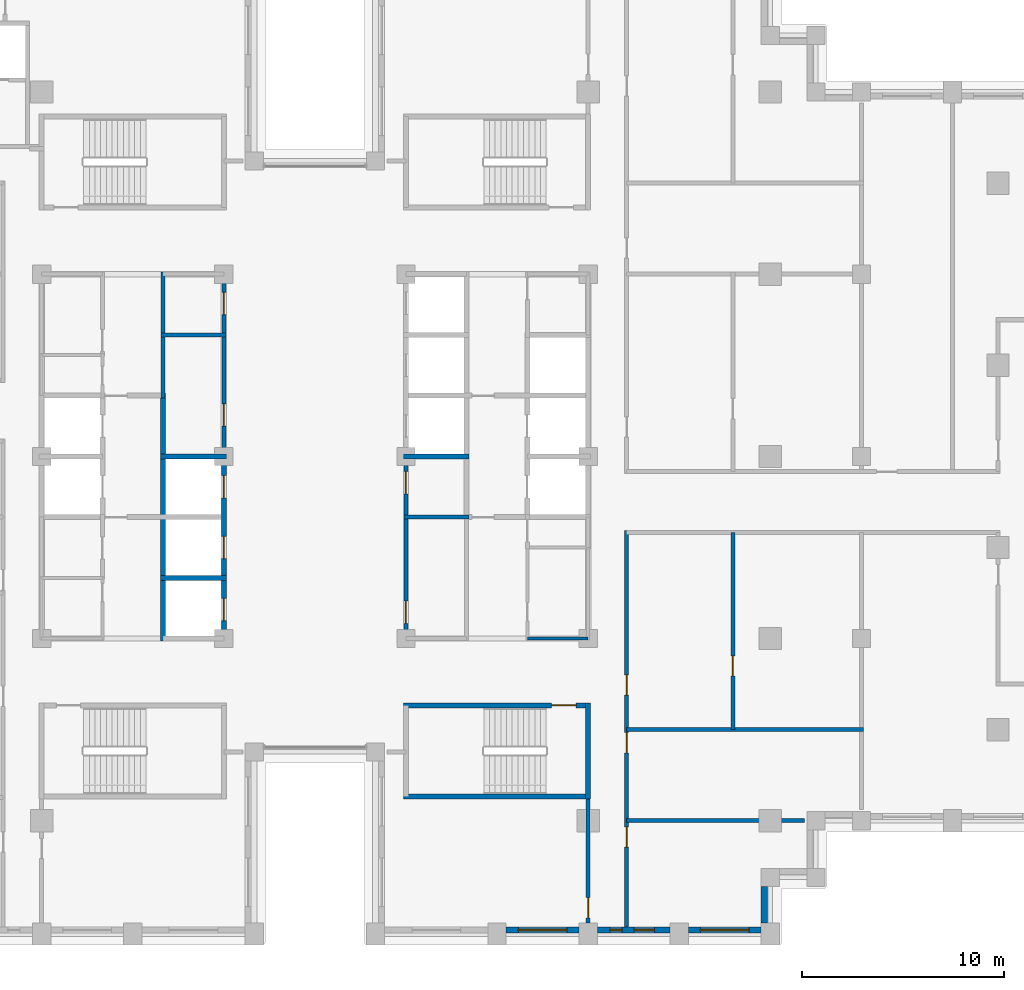
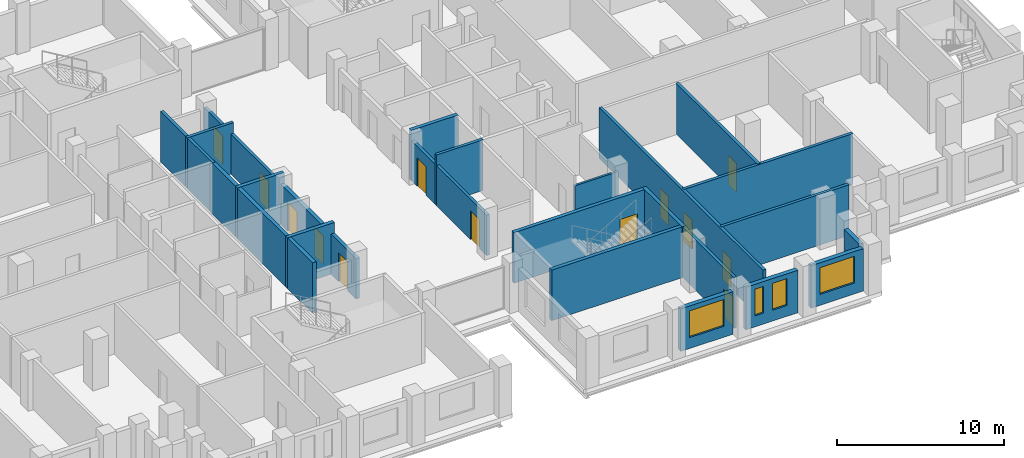
# One storey, part 8 of 15: 23 walls, 13 doors, 4 windows, 17 openings.
"""IFC4 building model written with IfcOpenShell, lengths in metres."""

from ifc_helpers import new_model, si_unit, direction, frame, frame_2d, origin, place, context, subcontext, project, spatial, rectangle, extrude, material, layer, layer_set, type_object, element, fill, save


model = new_model("IFC4")

# Units and contexts
model_context = context("Model", 3, precision=1e-05, world=origin(), true_north=direction((0.0, 1.0)))
body_context = subcontext(model_context, "Body", "Model", "MODEL_VIEW")
ifc_project = project(units=[si_unit("LENGTHUNIT", "METRE"), si_unit("AREAUNIT", "SQUARE_METRE"), si_unit("VOLUMEUNIT", "CUBIC_METRE"), si_unit("PLANEANGLEUNIT", "RADIAN"), si_unit("MASSUNIT", "GRAM", prefix="KILO")], contexts=[model_context])

# Site, building, storey
site_placement = place(None, origin())
site = spatial("IfcSite", under=ifc_project, at=site_placement, CompositionType="ELEMENT")
building_placement = place(site_placement, origin())
building = spatial("IfcBuilding", under=site, at=building_placement, Name="Corbelhall Arena Tower", CompositionType="ELEMENT")
storey_placement = place(building_placement, frame((0.0, 0.0, 134.0)))
storey = spatial("IfcBuildingStorey", under=building, at=storey_placement, Name="L25", CompositionType="ELEMENT", Elevation=134.0)

# Wall, opening, window
ifc_material_1 = material(Name="Precast concrete C40/50 with granite facing", Category="masonry")
ifc_layer_1 = layer(ifc_material_1, 0.300048828125)
ifc_layer_set_1 = layer_set([ifc_layer_1], Name="EV-IW1 Infill panel 300")
wall_type_1 = type_object("IfcWallType", Name="EV-IW1 Infill panel 300", PredefinedType="SOLIDWALL", material=ifc_layer_set_1)
wall_1_placement = place(storey_placement, frame((9.449951171875, -23.39990234375, 0.0), z_axis=(0.0, 0.0, 1.0), x_axis=(1.0, 0.0, 0.0)))
wall_1 = element("IfcWall", 1, at=wall_1_placement, inside=storey, type_object=wall_type_1, Name="Infill panel IW1", PredefinedType="SOLIDWALL", context=body_context, shape_type="SweptSolid", body=[
    extrude(rectangle(XDim=3.60009765625, YDim=0.300048828125, at=frame_2d((1.800048828125, 0.0))), origin(), (0.0, 0.0, 1.0), 3.10009765625),
])
opening_1_placement = place(wall_1_placement, frame((0.60009765625, 0.0, 0.800048828125)))
opening_1 = element("IfcOpeningElement", 2, at=opening_1_placement, cuts=wall_1, Name="Opening WN1", PredefinedType="OPENING", context=body_context, shape_type="SweptSolid", body=[
    extrude(rectangle(XDim=2.39990234375, YDim=1.949951171875, at=frame_2d((1.199951171875, 0.97509765625))), frame((0.0, 0.14990234375, 0.0), z_axis=(0.0, -1.0, 0.0), x_axis=(1.0, 0.0, 0.0)), (0.0, 0.0, 1.0), 0.300048828125),
])
ifc_material_2 = material(Name="Aluminium black anodised", Category="aluminium")
window_type_1 = type_object("IfcWindowType", Name="EV-WN1 Office window", PartitioningType="SINGLE_PANEL", PredefinedType="WINDOW", material=ifc_material_2)
window_1_placement = place(opening_1_placement, origin())
window_1 = element("IfcWindow", 3, at=window_1_placement, inside=storey, type_object=window_type_1, Name="Window WN1", OverallHeight=1.949951171875, OverallWidth=2.39990234375, PartitioningType="SINGLE_PANEL", PredefinedType="WINDOW", context=body_context, shape_type="SweptSolid", body=[
    extrude(rectangle(XDim=2.39990234375, YDim=1.949951171875, at=frame_2d((1.199951171875, 0.97509765625))), frame((0.0, 0.030029296875, 0.0), z_axis=(0.0, -1.0, 0.0), x_axis=(1.0, 0.0, 0.0)), (0.0, 0.0, 1.0), 0.06005859375),
])
fill(opening_1, window_1)

# Wall, openings, windows
wall_2_placement = place(storey_placement, frame((13.949951171875, -23.39990234375, 0.0), z_axis=(0.0, 0.0, 1.0), x_axis=(1.0, 0.0, 0.0)))
wall_2 = element("IfcWall", 4, at=wall_2_placement, inside=storey, type_object=wall_type_1, Name="Infill panel IW1", PredefinedType="SOLIDWALL", context=body_context, shape_type="SweptSolid", body=[
    extrude(rectangle(XDim=3.60009765625, YDim=0.300048828125, at=frame_2d((1.800048828125, 0.0))), origin(), (0.0, 0.0, 1.0), 3.10009765625),
])
opening_2_placement = place(wall_2_placement, frame((0.625, 0.0, 0.800048828125)))
opening_2 = element("IfcOpeningElement", 5, at=opening_2_placement, cuts=wall_2, Name="Opening WN5", PredefinedType="OPENING", context=body_context, shape_type="SweptSolid", body=[
    extrude(rectangle(XDim=0.60009765625, YDim=1.949951171875, at=frame_2d((0.300048828125, 0.97509765625))), frame((0.0, 0.14990234375, 0.0), z_axis=(0.0, -1.0, 0.0), x_axis=(1.0, 0.0, 0.0)), (0.0, 0.0, 1.0), 0.300048828125),
])
opening_3_placement = place(wall_2_placement, frame((1.824951171875, 0.0, 0.800048828125)))
opening_3 = element("IfcOpeningElement", 6, at=opening_3_placement, cuts=wall_2, Name="Opening WN6", PredefinedType="OPENING", context=body_context, shape_type="SweptSolid", body=[
    extrude(rectangle(XDim=1.0, YDim=1.949951171875, at=frame_2d((0.5, 0.97509765625))), frame((0.0, 0.14990234375, 0.0), z_axis=(0.0, -1.0, 0.0), x_axis=(1.0, 0.0, 0.0)), (0.0, 0.0, 1.0), 0.300048828125),
])
window_type_2 = type_object("IfcWindowType", Name="EV-WN5 Office window 600", PartitioningType="SINGLE_PANEL", PredefinedType="WINDOW", material=ifc_material_2)
window_2_placement = place(opening_2_placement, origin())
window_2 = element("IfcWindow", 7, at=window_2_placement, inside=storey, type_object=window_type_2, Name="Window WN5", OverallHeight=1.949951171875, OverallWidth=0.60009765625, PartitioningType="SINGLE_PANEL", PredefinedType="WINDOW", context=body_context, shape_type="SweptSolid", body=[
    extrude(rectangle(XDim=0.60009765625, YDim=1.949951171875, at=frame_2d((0.300048828125, 0.97509765625))), frame((0.0, 0.030029296875, 0.0), z_axis=(0.0, -1.0, 0.0), x_axis=(1.0, 0.0, 0.0)), (0.0, 0.0, 1.0), 0.06005859375),
])
fill(opening_2, window_2)
window_type_3 = type_object("IfcWindowType", Name="EV-WN6 Office window 1000", PartitioningType="SINGLE_PANEL", PredefinedType="WINDOW", material=ifc_material_2)
window_3_placement = place(opening_3_placement, origin())
window_3 = element("IfcWindow", 8, at=window_3_placement, inside=storey, type_object=window_type_3, Name="Window WN6", OverallHeight=1.949951171875, OverallWidth=1.0, PartitioningType="SINGLE_PANEL", PredefinedType="WINDOW", context=body_context, shape_type="SweptSolid", body=[
    extrude(rectangle(XDim=1.0, YDim=1.949951171875, at=frame_2d((0.5, 0.97509765625))), frame((0.0, 0.030029296875, 0.0), z_axis=(0.0, -1.0, 0.0), x_axis=(1.0, 0.0, 0.0)), (0.0, 0.0, 1.0), 0.06005859375),
])
fill(opening_3, window_3)

# Wall, opening, window
wall_3_placement = place(storey_placement, frame((18.449951171875, -23.39990234375, 0.0), z_axis=(0.0, 0.0, 1.0), x_axis=(1.0, 0.0, 0.0)))
wall_3 = element("IfcWall", 9, at=wall_3_placement, inside=storey, type_object=wall_type_1, Name="Infill panel IW1", PredefinedType="SOLIDWALL", context=body_context, shape_type="SweptSolid", body=[
    extrude(rectangle(XDim=3.60009765625, YDim=0.300048828125, at=frame_2d((1.800048828125, 0.0))), origin(), (0.0, 0.0, 1.0), 3.10009765625),
])
opening_4_placement = place(wall_3_placement, frame((0.60009765625, 0.0, 0.800048828125)))
opening_4 = element("IfcOpeningElement", 10, at=opening_4_placement, cuts=wall_3, Name="Opening WN1", PredefinedType="OPENING", context=body_context, shape_type="SweptSolid", body=[
    extrude(rectangle(XDim=2.39990234375, YDim=1.949951171875, at=frame_2d((1.199951171875, 0.97509765625))), frame((0.0, 0.14990234375, 0.0), z_axis=(0.0, -1.0, 0.0), x_axis=(1.0, 0.0, 0.0)), (0.0, 0.0, 1.0), 0.300048828125),
])
window_4_placement = place(opening_4_placement, origin())
window_4 = element("IfcWindow", 11, at=window_4_placement, inside=storey, type_object=window_type_1, Name="Window WN1", OverallHeight=1.949951171875, OverallWidth=2.39990234375, PartitioningType="SINGLE_PANEL", PredefinedType="WINDOW", context=body_context, shape_type="SweptSolid", body=[
    extrude(rectangle(XDim=2.39990234375, YDim=1.949951171875, at=frame_2d((1.199951171875, 0.97509765625))), frame((0.0, 0.030029296875, 0.0), z_axis=(0.0, -1.0, 0.0), x_axis=(1.0, 0.0, 0.0)), (0.0, 0.0, 1.0), 0.06005859375),
])
fill(opening_4, window_4)

# Wall
wall_4_placement = place(storey_placement, frame((22.199951171875, -23.050048828125, 0.0), z_axis=(0.0, 0.0, 1.0), x_axis=(0.0, 1.0, 0.0)))
element("IfcWall", 12, at=wall_4_placement, inside=storey, type_object=wall_type_1, Name="Infill panel IW1", PredefinedType="SOLIDWALL", context=body_context, shape_type="SweptSolid", body=[
    extrude(rectangle(XDim=1.800048828125, YDim=0.300048828125, at=frame_2d((0.89990234375, 0.0))), origin(), (0.0, 0.0, 1.0), 3.10009765625),
])

# Wall, opening, door
ifc_material_3 = material(Name="Gypsum board on steel stud, acoustic", Category="steel")
ifc_layer_2 = layer(ifc_material_3, 0.199951171875)
ifc_layer_set_2 = layer_set([ifc_layer_2], Name="IN-W-DM200")
wall_type_2 = type_object("IfcWallType", Name="IN-W-DM200", PredefinedType="PARTITIONING", material=ifc_layer_set_2)
wall_5_placement = place(storey_placement, frame((13.5, -23.050048828125, 0.0), z_axis=(0.0, 0.0, 1.0), x_axis=(0.0, 1.0, 0.0)))
wall_5 = element("IfcWall", 13, at=wall_5_placement, inside=storey, type_object=wall_type_2, Name="Partition 027", PredefinedType="PARTITIONING", context=body_context, shape_type="SweptSolid", body=[
    extrude(rectangle(XDim=6.375, YDim=0.199951171875, at=frame_2d((3.1875, 0.0))), origin(), (0.0, 0.0, 1.0), 3.699951171875),
])
opening_5_placement = place(wall_5_placement, frame((0.25, 0.0, 0.0)))
opening_5 = element("IfcOpeningElement", 14, at=opening_5_placement, cuts=wall_5, Name="Opening 06026", PredefinedType="OPENING", context=body_context, shape_type="SweptSolid", body=[
    extrude(rectangle(XDim=1.0, YDim=2.10009765625, at=frame_2d((0.5, 1.050048828125))), frame((0.0, 0.10009765625, 0.0), z_axis=(0.0, -1.0, 0.0), x_axis=(1.0, 0.0, 0.0)), (0.0, 0.0, 1.0), 0.199951171875),
])
ifc_material_4 = material(Name="Steel door set", Category="steel")
door_type_1 = type_object("IfcDoorType", Name="IN-D-SW100", OperationType="NOTDEFINED", PredefinedType="DOOR", material=ifc_material_4)
door_1_placement = place(opening_5_placement, origin())
door_1 = element("IfcDoor", 15, at=door_1_placement, inside=storey, type_object=door_type_1, Name="Door 026", OperationType="SINGLE_SWING_LEFT", OverallHeight=2.10009765625, OverallWidth=1.0, PredefinedType="DOOR", context=body_context, shape_type="SweptSolid", body=[
    extrude(rectangle(XDim=1.0, YDim=2.10009765625, at=frame_2d((0.5, 1.050048828125))), frame((0.0, 0.02490234375, 0.0), z_axis=(0.0, -1.0, 0.0), x_axis=(1.0, 0.0, 0.0)), (0.0, 0.0, 1.0), 0.050048828125),
])
fill(opening_5, door_1)

# Wall
wall_6_placement = place(storey_placement, frame((15.39990234375, -18.0, 0.0), z_axis=(0.0, 0.0, 1.0), x_axis=(1.0, 0.0, 0.0)))
element("IfcWall", 16, at=wall_6_placement, inside=storey, type_object=wall_type_2, Name="Partition 029", PredefinedType="PARTITIONING", context=body_context, shape_type="SweptSolid", body=[
    extrude(rectangle(XDim=8.800048828125, YDim=0.199951171875, at=frame_2d((4.39990234375, 0.0))), origin(), (0.0, 0.0, 1.0), 3.699951171875),
])

# Wall, openings, doors
wall_7_placement = place(storey_placement, frame((15.39990234375, -3.64990234375, 0.0), z_axis=(0.0, 0.0, 1.0), x_axis=(0.0, -1.0, 0.0)))
wall_7 = element("IfcWall", 17, at=wall_7_placement, inside=storey, type_object=wall_type_2, Name="Partition 030", PredefinedType="PARTITIONING", context=body_context, shape_type="SweptSolid", body=[
    extrude(rectangle(XDim=19.60009765625, YDim=0.199951171875, at=frame_2d((9.800048828125, 0.0))), origin(), (0.0, 0.0, 1.0), 3.699951171875),
])
opening_6_placement = place(wall_7_placement, frame((14.64990234375, 0.0, 0.0)))
opening_6 = element("IfcOpeningElement", 18, at=opening_6_placement, cuts=wall_7, Name="Opening 06039", PredefinedType="OPENING", context=body_context, shape_type="SweptSolid", body=[
    extrude(rectangle(XDim=1.0, YDim=2.10009765625, at=frame_2d((0.5, 1.050048828125))), frame((0.0, 0.10009765625, 0.0), z_axis=(0.0, -1.0, 0.0), x_axis=(1.0, 0.0, 0.0)), (0.0, 0.0, 1.0), 0.199951171875),
])
opening_7_placement = place(wall_7_placement, frame((10.0, 0.0, 0.0)))
opening_7 = element("IfcOpeningElement", 19, at=opening_7_placement, cuts=wall_7, Name="Opening 06040", PredefinedType="OPENING", context=body_context, shape_type="SweptSolid", body=[
    extrude(rectangle(XDim=1.0, YDim=2.10009765625, at=frame_2d((0.5, 1.050048828125))), frame((0.0, 0.10009765625, 0.0), z_axis=(0.0, -1.0, 0.0), x_axis=(1.0, 0.0, 0.0)), (0.0, 0.0, 1.0), 0.199951171875),
])
opening_8_placement = place(wall_7_placement, frame((7.14990234375, 0.0, 0.0)))
opening_8 = element("IfcOpeningElement", 20, at=opening_8_placement, cuts=wall_7, Name="Opening 06041", PredefinedType="OPENING", context=body_context, shape_type="SweptSolid", body=[
    extrude(rectangle(XDim=1.0, YDim=2.10009765625, at=frame_2d((0.5, 1.050048828125))), frame((0.0, 0.10009765625, 0.0), z_axis=(0.0, -1.0, 0.0), x_axis=(1.0, 0.0, 0.0)), (0.0, 0.0, 1.0), 0.199951171875),
])
door_2_placement = place(opening_6_placement, origin())
door_2 = element("IfcDoor", 21, at=door_2_placement, inside=storey, type_object=door_type_1, Name="Door 039", OperationType="SINGLE_SWING_RIGHT", OverallHeight=2.10009765625, OverallWidth=1.0, PredefinedType="DOOR", context=body_context, shape_type="SweptSolid", body=[
    extrude(rectangle(XDim=1.0, YDim=2.10009765625, at=frame_2d((0.5, 1.050048828125))), frame((0.0, 0.02490234375, 0.0), z_axis=(0.0, -1.0, 0.0), x_axis=(1.0, 0.0, 0.0)), (0.0, 0.0, 1.0), 0.050048828125),
])
fill(opening_6, door_2)
door_3_placement = place(opening_7_placement, origin())
door_3 = element("IfcDoor", 22, at=door_3_placement, inside=storey, type_object=door_type_1, Name="Door 040", OperationType="SINGLE_SWING_LEFT", OverallHeight=2.10009765625, OverallWidth=1.0, PredefinedType="DOOR", context=body_context, shape_type="SweptSolid", body=[
    extrude(rectangle(XDim=1.0, YDim=2.10009765625, at=frame_2d((0.5, 1.050048828125))), frame((0.0, 0.02490234375, 0.0), z_axis=(0.0, -1.0, 0.0), x_axis=(1.0, 0.0, 0.0)), (0.0, 0.0, 1.0), 0.050048828125),
])
fill(opening_7, door_3)
door_4_placement = place(opening_8_placement, origin())
door_4 = element("IfcDoor", 23, at=door_4_placement, inside=storey, type_object=door_type_1, Name="Door 041", OperationType="SINGLE_SWING_RIGHT", OverallHeight=2.10009765625, OverallWidth=1.0, PredefinedType="DOOR", context=body_context, shape_type="SweptSolid", body=[
    extrude(rectangle(XDim=1.0, YDim=2.10009765625, at=frame_2d((0.5, 1.050048828125))), frame((0.0, 0.02490234375, 0.0), z_axis=(0.0, -1.0, 0.0), x_axis=(1.0, 0.0, 0.0)), (0.0, 0.0, 1.0), 0.050048828125),
])
fill(opening_8, door_4)

# Wall
wall_8_placement = place(storey_placement, frame((15.39990234375, -13.5, 0.0), z_axis=(0.0, 0.0, 1.0), x_axis=(1.0, 0.0, 0.0)))
element("IfcWall", 24, at=wall_8_placement, inside=storey, type_object=wall_type_2, Name="Partition 031", PredefinedType="PARTITIONING", context=body_context, shape_type="SweptSolid", body=[
    extrude(rectangle(XDim=11.7001953125, YDim=0.199951171875, at=frame_2d((5.85009765625, 0.0))), origin(), (0.0, 0.0, 1.0), 3.699951171875),
])

# Wall, opening, door
wall_9_placement = place(storey_placement, frame((20.64990234375, -3.75, 0.0), z_axis=(0.0, 0.0, 1.0), x_axis=(0.0, -1.0, 0.0)))
wall_9 = element("IfcWall", 25, at=wall_9_placement, inside=storey, type_object=wall_type_2, Name="Partition 036", PredefinedType="PARTITIONING", context=body_context, shape_type="SweptSolid", body=[
    extrude(rectangle(XDim=9.75, YDim=0.199951171875, at=frame_2d((4.875, 0.0))), origin(), (0.0, 0.0, 1.0), 3.699951171875),
])
opening_9_placement = place(wall_9_placement, frame((6.10009765625, 0.0, 0.0)))
opening_9 = element("IfcOpeningElement", 26, at=opening_9_placement, cuts=wall_9, Name="Opening 06042", PredefinedType="OPENING", context=body_context, shape_type="SweptSolid", body=[
    extrude(rectangle(XDim=1.0, YDim=2.10009765625, at=frame_2d((0.5, 1.050048828125))), frame((0.0, 0.10009765625, 0.0), z_axis=(0.0, -1.0, 0.0), x_axis=(1.0, 0.0, 0.0)), (0.0, 0.0, 1.0), 0.199951171875),
])
door_5_placement = place(opening_9_placement, origin())
door_5 = element("IfcDoor", 27, at=door_5_placement, inside=storey, type_object=door_type_1, Name="Door 042", OperationType="SINGLE_SWING_LEFT", OverallHeight=2.10009765625, OverallWidth=1.0, PredefinedType="DOOR", context=body_context, shape_type="SweptSolid", body=[
    extrude(rectangle(XDim=1.0, YDim=2.10009765625, at=frame_2d((0.5, 1.050048828125))), frame((0.0, 0.02490234375, 0.0), z_axis=(0.0, -1.0, 0.0), x_axis=(1.0, 0.0, 0.0)), (0.0, 0.0, 1.0), 0.050048828125),
])
fill(opening_9, door_5)

# Walls
ifc_material_5 = material(Name="Concrete block wall", Category="concrete")
ifc_layer_3 = layer(ifc_material_5, 0.199951171875)
ifc_layer_set_3 = layer_set([ifc_layer_3], Name="IN-W-RS200")
wall_type_3 = type_object("IfcWallType", Name="IN-W-RS200", PredefinedType="SOLIDWALL", material=ifc_layer_set_3)
wall_10_placement = place(storey_placement, frame((-7.60009765625, 6.0, 0.0), z_axis=(0.0, 0.0, 1.0), x_axis=(1.0, 0.0, 0.0)))
element("IfcWall", 28, at=wall_10_placement, inside=storey, type_object=wall_type_3, Name="Partition 052", PredefinedType="SOLIDWALL", context=body_context, shape_type="SweptSolid", body=[
    extrude(rectangle(XDim=3.2001953125, YDim=0.199951171875, at=frame_2d((1.60009765625, 0.0))), origin(), (0.0, 0.0, 1.0), 3.699951171875),
])
wall_11_placement = place(storey_placement, frame((-7.5, 2.875, 0.0), z_axis=(0.0, 0.0, 1.0), x_axis=(0.0, 1.0, 0.0)))
element("IfcWall", 29, at=wall_11_placement, inside=storey, type_object=wall_type_3, Name="Partition 053", PredefinedType="SOLIDWALL", context=body_context, shape_type="SweptSolid", body=[
    extrude(rectangle(XDim=6.22509765625, YDim=0.199951171875, at=frame_2d((3.112548828125, 0.0))), origin(), (0.0, 0.0, 1.0), 3.699951171875),
])
wall_12_placement = place(storey_placement, frame((4.39990234375, -3.0, 0.0), z_axis=(0.0, 0.0, 1.0), x_axis=(1.0, 0.0, 0.0)))
element("IfcWall", 30, at=wall_12_placement, inside=storey, type_object=wall_type_3, Name="Partition 056", PredefinedType="SOLIDWALL", context=body_context, shape_type="SweptSolid", body=[
    extrude(rectangle(XDim=3.22509765625, YDim=0.199951171875, at=frame_2d((1.612548828125, 0.0))), origin(), (0.0, 0.0, 1.0), 3.699951171875),
])

# Wall, openings, doors
ifc_layer_4 = layer(ifc_material_5, 0.199951171875)
ifc_layer_set_4 = layer_set([ifc_layer_4], Name="IN-W-RS200 under beam 762 mm")
wall_type_4 = type_object("IfcWallType", Name="IN-W-RS200 under beam 762 mm", PredefinedType="SOLIDWALL", material=ifc_layer_set_4)
wall_13_placement = place(storey_placement, frame((-4.5, 9.10009765625, 0.0), z_axis=(0.0, 0.0, 1.0), x_axis=(0.0, -1.0, 0.0)))
wall_13 = element("IfcWall", 31, at=wall_13_placement, inside=storey, type_object=wall_type_4, Name="Partition 055", PredefinedType="SOLIDWALL", context=body_context, shape_type="SweptSolid", body=[
    extrude(rectangle(XDim=9.10009765625, YDim=0.199951171875, at=frame_2d((4.550048828125, 0.0))), origin(), (0.0, 0.0, 1.0), 2.93798828125),
])
opening_10_placement = place(wall_13_placement, frame((6.5, 0.0, 0.0)))
opening_10 = element("IfcOpeningElement", 32, at=opening_10_placement, cuts=wall_13, Name="Opening 06001", PredefinedType="OPENING", context=body_context, shape_type="SweptSolid", body=[
    extrude(rectangle(XDim=1.10009765625, YDim=2.10009765625, at=frame_2d((0.550048828125, 1.050048828125))), frame((0.0, 0.10009765625, 0.0), z_axis=(0.0, -1.0, 0.0), x_axis=(1.0, 0.0, 0.0)), (0.0, 0.0, 1.0), 0.199951171875),
])
opening_11_placement = place(wall_13_placement, frame((1.0, 0.0, 0.0)))
opening_11 = element("IfcOpeningElement", 33, at=opening_11_placement, cuts=wall_13, Name="Opening 06002", PredefinedType="OPENING", context=body_context, shape_type="SweptSolid", body=[
    extrude(rectangle(XDim=1.10009765625, YDim=2.10009765625, at=frame_2d((0.550048828125, 1.050048828125))), frame((0.0, 0.10009765625, 0.0), z_axis=(0.0, -1.0, 0.0), x_axis=(1.0, 0.0, 0.0)), (0.0, 0.0, 1.0), 0.199951171875),
])
door_type_2 = type_object("IfcDoorType", Name="IN-D-FD110", OperationType="NOTDEFINED", PredefinedType="DOOR", material=ifc_material_4)
door_6_placement = place(opening_10_placement, origin())
door_6 = element("IfcDoor", 34, at=door_6_placement, inside=storey, type_object=door_type_2, Name="Door 001", OperationType="SINGLE_SWING_RIGHT", OverallHeight=2.10009765625, OverallWidth=1.10009765625, PredefinedType="DOOR", context=body_context, shape_type="SweptSolid", body=[
    extrude(rectangle(XDim=1.10009765625, YDim=2.10009765625, at=frame_2d((0.550048828125, 1.050048828125))), frame((0.0, 0.02490234375, 0.0), z_axis=(0.0, -1.0, 0.0), x_axis=(1.0, 0.0, 0.0)), (0.0, 0.0, 1.0), 0.050048828125),
])
fill(opening_10, door_6)
door_7_placement = place(opening_11_placement, origin())
door_7 = element("IfcDoor", 35, at=door_7_placement, inside=storey, type_object=door_type_2, Name="Door 002", OperationType="SINGLE_SWING_LEFT", OverallHeight=2.10009765625, OverallWidth=1.10009765625, PredefinedType="DOOR", context=body_context, shape_type="SweptSolid", body=[
    extrude(rectangle(XDim=1.10009765625, YDim=2.10009765625, at=frame_2d((0.550048828125, 1.050048828125))), frame((0.0, 0.02490234375, 0.0), z_axis=(0.0, -1.0, 0.0), x_axis=(1.0, 0.0, 0.0)), (0.0, 0.0, 1.0), 0.050048828125),
])
fill(opening_11, door_7)

wall_14_placement = place(storey_placement, frame((4.5, -9.10009765625, 0.0), z_axis=(0.0, 0.0, 1.0), x_axis=(0.0, 1.0, 0.0)))
wall_14 = element("IfcWall", 36, at=wall_14_placement, inside=storey, type_object=wall_type_4, Name="Partition 057", PredefinedType="SOLIDWALL", context=body_context, shape_type="SweptSolid", body=[
    extrude(rectangle(XDim=9.10009765625, YDim=0.199951171875, at=frame_2d((4.550048828125, 0.0))), origin(), (0.0, 0.0, 1.0), 2.93798828125),
])
opening_12_placement = place(wall_14_placement, frame((0.85009765625, 0.0, 0.0)))
opening_12 = element("IfcOpeningElement", 37, at=opening_12_placement, cuts=wall_14, Name="Opening 06008", PredefinedType="OPENING", context=body_context, shape_type="SweptSolid", body=[
    extrude(rectangle(XDim=1.10009765625, YDim=2.10009765625, at=frame_2d((0.550048828125, 1.050048828125))), frame((0.0, 0.10009765625, 0.0), z_axis=(0.0, -1.0, 0.0), x_axis=(1.0, 0.0, 0.0)), (0.0, 0.0, 1.0), 0.199951171875),
])
opening_13_placement = place(wall_14_placement, frame((7.25, 0.0, 0.0)))
opening_13 = element("IfcOpeningElement", 38, at=opening_13_placement, cuts=wall_14, Name="Opening 06009", PredefinedType="OPENING", context=body_context, shape_type="SweptSolid", body=[
    extrude(rectangle(XDim=1.10009765625, YDim=2.10009765625, at=frame_2d((0.550048828125, 1.050048828125))), frame((0.0, 0.10009765625, 0.0), z_axis=(0.0, -1.0, 0.0), x_axis=(1.0, 0.0, 0.0)), (0.0, 0.0, 1.0), 0.199951171875),
])
door_8_placement = place(opening_12_placement, origin())
door_8 = element("IfcDoor", 39, at=door_8_placement, inside=storey, type_object=door_type_2, Name="Door 008", OperationType="SINGLE_SWING_LEFT", OverallHeight=2.10009765625, OverallWidth=1.10009765625, PredefinedType="DOOR", context=body_context, shape_type="SweptSolid", body=[
    extrude(rectangle(XDim=1.10009765625, YDim=2.10009765625, at=frame_2d((0.550048828125, 1.050048828125))), frame((0.0, 0.02490234375, 0.0), z_axis=(0.0, -1.0, 0.0), x_axis=(1.0, 0.0, 0.0)), (0.0, 0.0, 1.0), 0.050048828125),
])
fill(opening_12, door_8)
door_9_placement = place(opening_13_placement, origin())
door_9 = element("IfcDoor", 40, at=door_9_placement, inside=storey, type_object=door_type_2, Name="Door 009", OperationType="SINGLE_SWING_RIGHT", OverallHeight=2.10009765625, OverallWidth=1.10009765625, PredefinedType="DOOR", context=body_context, shape_type="SweptSolid", body=[
    extrude(rectangle(XDim=1.10009765625, YDim=2.10009765625, at=frame_2d((0.550048828125, 1.050048828125))), frame((0.0, 0.02490234375, 0.0), z_axis=(0.0, -1.0, 0.0), x_axis=(1.0, 0.0, 0.0)), (0.0, 0.0, 1.0), 0.050048828125),
])
fill(opening_13, door_9)

# Walls
ifc_material_6 = material(Name="Concrete C40/50", Category="concrete")
ifc_layer_5 = layer(ifc_material_6, 0.25)
ifc_layer_set_5 = layer_set([ifc_layer_5], Name="IN-W-SH250")
wall_type_5 = type_object("IfcWallType", Name="IN-W-SH250", PredefinedType="SOLIDWALL", material=ifc_layer_set_5)
for number, where, z_axis, x_axis, name in (
    (41, (-7.625, -6.0, 0.0), (0.0, 0.0, 1.0), (1.0, 0.0, 0.0), "Shaft wall 070"),
    (42, (-7.625, 0.0, 0.0), (0.0, 0.0, 1.0), (1.0, 0.0, 0.0), "Shaft wall 071"),
):
    element("IfcWall", number, at=place(storey_placement, frame(where, z_axis=z_axis, x_axis=x_axis)), inside=storey, type_object=wall_type_5, Name=name, PredefinedType="SOLIDWALL", context=body_context, shape_type="SweptSolid", body=[
        extrude(rectangle(XDim=3.25, YDim=0.25, at=frame_2d((1.625, 0.0))), origin(), (0.0, 0.0, 1.0), 3.699951171875),
    ])
wall_15_placement = place(storey_placement, frame((-7.5, -9.125, 0.0), z_axis=(0.0, 0.0, 1.0), x_axis=(0.0, 1.0, 0.0)))
element("IfcWall", 43, at=wall_15_placement, inside=storey, type_object=wall_type_5, Name="Shaft wall 072", PredefinedType="SOLIDWALL", context=body_context, shape_type="SweptSolid", body=[
    extrude(rectangle(XDim=12.25, YDim=0.25, at=frame_2d((6.125, 0.0))), origin(), (0.0, 0.0, 1.0), 3.699951171875),
])
wall_16_placement = place(storey_placement, frame((4.375, 0.0, 0.0), z_axis=(0.0, 0.0, 1.0), x_axis=(1.0, 0.0, 0.0)))
element("IfcWall", 44, at=wall_16_placement, inside=storey, type_object=wall_type_5, Name="Shaft wall 075", PredefinedType="SOLIDWALL", context=body_context, shape_type="SweptSolid", body=[
    extrude(rectangle(XDim=3.25, YDim=0.25, at=frame_2d((1.625, 0.0))), origin(), (0.0, 0.0, 1.0), 3.699951171875),
])

# Wall, openings, doors
ifc_layer_6 = layer(ifc_material_6, 0.25)
ifc_layer_set_6 = layer_set([ifc_layer_6], Name="IN-W-SH250 under beam 762 mm")
wall_type_6 = type_object("IfcWallType", Name="IN-W-SH250 under beam 762 mm", PredefinedType="SOLIDWALL", material=ifc_layer_set_6)
wall_17_placement = place(storey_placement, frame((-4.5, 0.0, 0.0), z_axis=(0.0, 0.0, 1.0), x_axis=(0.0, -1.0, 0.0)))
wall_17 = element("IfcWall", 45, at=wall_17_placement, inside=storey, type_object=wall_type_6, Name="Shaft wall 074", PredefinedType="SOLIDWALL", context=body_context, shape_type="SweptSolid", body=[
    extrude(rectangle(XDim=9.125, YDim=0.25, at=frame_2d((4.5625, 0.0))), origin(), (0.0, 0.0, 1.0), 2.93798828125),
])
opening_14_placement = place(wall_17_placement, frame((7.012451171875, 0.0, 0.0)))
opening_14 = element("IfcOpeningElement", 46, at=opening_14_placement, cuts=wall_17, Name="Opening LD", PredefinedType="OPENING", context=body_context, shape_type="SweptSolid", body=[
    extrude(rectangle(XDim=1.10009765625, YDim=2.10009765625, at=frame_2d((0.550048828125, 1.050048828125))), frame((0.0, 0.125, 0.0), z_axis=(0.0, -1.0, 0.0), x_axis=(1.0, 0.0, 0.0)), (0.0, 0.0, 1.0), 0.25),
])
opening_15_placement = place(wall_17_placement, frame((3.949951171875, 0.0, 0.0)))
opening_15 = element("IfcOpeningElement", 47, at=opening_15_placement, cuts=wall_17, Name="Opening LD", PredefinedType="OPENING", context=body_context, shape_type="SweptSolid", body=[
    extrude(rectangle(XDim=1.10009765625, YDim=2.10009765625, at=frame_2d((0.550048828125, 1.050048828125))), frame((0.0, 0.125, 0.0), z_axis=(0.0, -1.0, 0.0), x_axis=(1.0, 0.0, 0.0)), (0.0, 0.0, 1.0), 0.25),
])
opening_16_placement = place(wall_17_placement, frame((0.949951171875, 0.0, 0.0)))
opening_16 = element("IfcOpeningElement", 48, at=opening_16_placement, cuts=wall_17, Name="Opening LD", PredefinedType="OPENING", context=body_context, shape_type="SweptSolid", body=[
    extrude(rectangle(XDim=1.10009765625, YDim=2.10009765625, at=frame_2d((0.550048828125, 1.050048828125))), frame((0.0, 0.125, 0.0), z_axis=(0.0, -1.0, 0.0), x_axis=(1.0, 0.0, 0.0)), (0.0, 0.0, 1.0), 0.25),
])
door_type_3 = type_object("IfcDoorType", Name="IN-D-LD110", OperationType="NOTDEFINED", PredefinedType="DOOR", material=ifc_material_4)
door_10_placement = place(opening_14_placement, origin())
door_10 = element("IfcDoor", 49, at=door_10_placement, inside=storey, type_object=door_type_3, Name="Landing door W1", OperationType="SLIDING_TO_LEFT", OverallHeight=2.10009765625, OverallWidth=1.10009765625, PredefinedType="DOOR", context=body_context, shape_type="SweptSolid", body=[
    extrude(rectangle(XDim=1.10009765625, YDim=2.10009765625, at=frame_2d((0.550048828125, 1.050048828125))), frame((0.0, 0.02490234375, 0.0), z_axis=(0.0, -1.0, 0.0), x_axis=(1.0, 0.0, 0.0)), (0.0, 0.0, 1.0), 0.050048828125),
])
fill(opening_14, door_10)
door_11_placement = place(opening_15_placement, origin())
door_11 = element("IfcDoor", 50, at=door_11_placement, inside=storey, type_object=door_type_3, Name="Landing door W2", OperationType="SLIDING_TO_LEFT", OverallHeight=2.10009765625, OverallWidth=1.10009765625, PredefinedType="DOOR", context=body_context, shape_type="SweptSolid", body=[
    extrude(rectangle(XDim=1.10009765625, YDim=2.10009765625, at=frame_2d((0.550048828125, 1.050048828125))), frame((0.0, 0.02490234375, 0.0), z_axis=(0.0, -1.0, 0.0), x_axis=(1.0, 0.0, 0.0)), (0.0, 0.0, 1.0), 0.050048828125),
])
fill(opening_15, door_11)
door_12_placement = place(opening_16_placement, origin())
door_12 = element("IfcDoor", 51, at=door_12_placement, inside=storey, type_object=door_type_3, Name="Landing door W3", OperationType="SLIDING_TO_LEFT", OverallHeight=2.10009765625, OverallWidth=1.10009765625, PredefinedType="DOOR", context=body_context, shape_type="SweptSolid", body=[
    extrude(rectangle(XDim=1.10009765625, YDim=2.10009765625, at=frame_2d((0.550048828125, 1.050048828125))), frame((0.0, 0.02490234375, 0.0), z_axis=(0.0, -1.0, 0.0), x_axis=(1.0, 0.0, 0.0)), (0.0, 0.0, 1.0), 0.050048828125),
])
fill(opening_16, door_12)

# Walls
ifc_layer_7 = layer(ifc_material_6, 0.25)
ifc_layer_set_7 = layer_set([ifc_layer_7], Name="IN-W-ST250")
wall_type_7 = type_object("IfcWallType", Name="IN-W-ST250", PredefinedType="SOLIDWALL", material=ifc_layer_set_7)
wall_18_placement = place(storey_placement, frame((13.5, -16.925048828125, 0.0), z_axis=(0.0, 0.0, 1.0), x_axis=(0.0, 1.0, 0.0)))
element("IfcWall", 52, at=wall_18_placement, inside=storey, type_object=wall_type_7, Name="Shaft wall 104", PredefinedType="SOLIDWALL", context=body_context, shape_type="SweptSolid", body=[
    extrude(rectangle(XDim=4.75, YDim=0.25, at=frame_2d((2.375, 0.0))), origin(), (0.0, 0.0, 1.0), 3.699951171875),
])
wall_19_placement = place(storey_placement, frame((13.5, -16.800048828125, 0.0), z_axis=(0.0, 0.0, 1.0), x_axis=(-1.0, 0.0, 0.0)))
element("IfcWall", 53, at=wall_19_placement, inside=storey, type_object=wall_type_7, Name="Shaft wall 105", PredefinedType="SOLIDWALL", context=body_context, shape_type="SweptSolid", body=[
    extrude(rectangle(XDim=9.125, YDim=0.25, at=frame_2d((4.5625, 0.0))), origin(), (0.0, 0.0, 1.0), 3.699951171875),
])

# Wall, opening, door
wall_20_placement = place(storey_placement, frame((13.5, -12.300048828125, 0.0), z_axis=(0.0, 0.0, 1.0), x_axis=(-1.0, 0.0, 0.0)))
wall_20 = element("IfcWall", 54, at=wall_20_placement, inside=storey, type_object=wall_type_7, Name="Shaft wall 106", PredefinedType="SOLIDWALL", context=body_context, shape_type="SweptSolid", body=[
    extrude(rectangle(XDim=9.125, YDim=0.25, at=frame_2d((4.5625, 0.0))), origin(), (0.0, 0.0, 1.0), 3.699951171875),
])
opening_17_placement = place(wall_20_placement, frame((0.60009765625, 0.0, 0.0)))
opening_17 = element("IfcOpeningElement", 55, at=opening_17_placement, cuts=wall_20, Name="Opening 06018", PredefinedType="OPENING", context=body_context, shape_type="SweptSolid", body=[
    extrude(rectangle(XDim=1.199951171875, YDim=2.10009765625, at=frame_2d((0.60009765625, 1.050048828125))), frame((0.0, 0.125, 0.0), z_axis=(0.0, -1.0, 0.0), x_axis=(1.0, 0.0, 0.0)), (0.0, 0.0, 1.0), 0.25),
])
door_type_4 = type_object("IfcDoorType", Name="IN-D-ST120", OperationType="NOTDEFINED", PredefinedType="DOOR", material=ifc_material_4)
door_13_placement = place(opening_17_placement, origin())
door_13 = element("IfcDoor", 56, at=door_13_placement, inside=storey, type_object=door_type_4, Name="Door 018", OperationType="SINGLE_SWING_LEFT", OverallHeight=2.10009765625, OverallWidth=1.199951171875, PredefinedType="DOOR", context=body_context, shape_type="SweptSolid", body=[
    extrude(rectangle(XDim=1.199951171875, YDim=2.10009765625, at=frame_2d((0.60009765625, 1.050048828125))), frame((0.0, 0.02490234375, 0.0), z_axis=(0.0, -1.0, 0.0), x_axis=(1.0, 0.0, 0.0)), (0.0, 0.0, 1.0), 0.050048828125),
])
fill(opening_17, door_13)

# Wall
ifc_material_7 = material(Name="Gypsum board on steel stud, moisture resistant", Category="steel")
ifc_layer_8 = layer(ifc_material_7, 0.14990234375)
ifc_layer_set_8 = layer_set([ifc_layer_8], Name="IN-W-WC150 under beam 762 mm")
wall_type_8 = type_object("IfcWallType", Name="IN-W-WC150 under beam 762 mm", PredefinedType="PARTITIONING", material=ifc_layer_set_8)
wall_21_placement = place(storey_placement, frame((13.5, -9.0, 0.0), z_axis=(0.0, 0.0, 1.0), x_axis=(-1.0, 0.0, 0.0)))
element("IfcWall", 57, at=wall_21_placement, inside=storey, type_object=wall_type_8, Name="Partition 123", PredefinedType="PARTITIONING", context=body_context, shape_type="SweptSolid", body=[
    extrude(rectangle(XDim=3.0, YDim=0.14990234375, at=frame_2d((1.5, 0.0))), origin(), (0.0, 0.0, 1.0), 2.93798828125),
])

save(model, "model.ifc")
